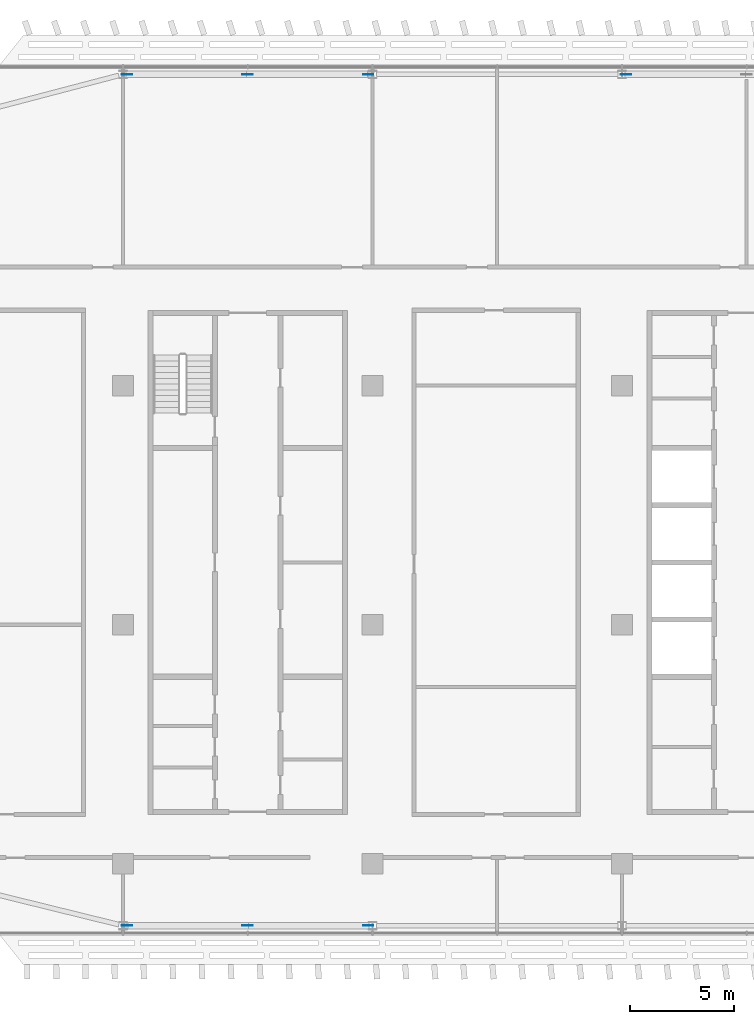
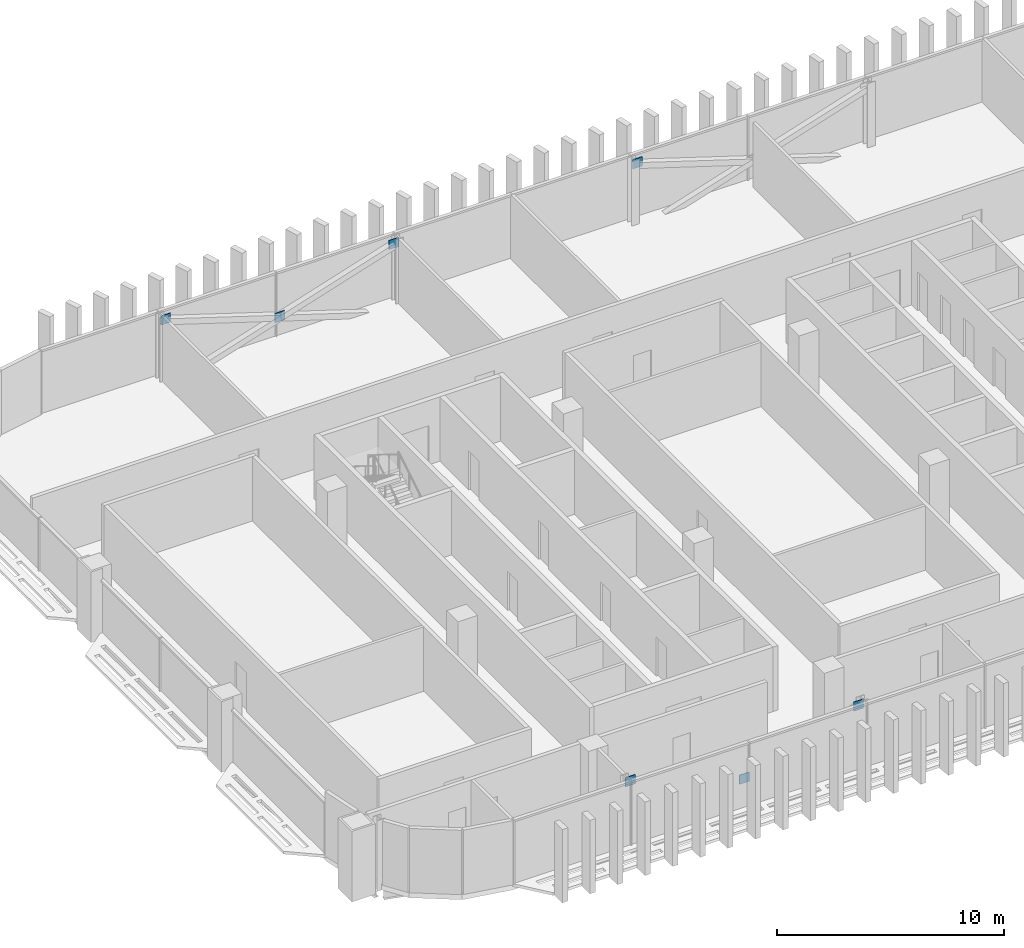
# One storey, part 24 of 35: 7 discrete accessories.
"""IFC4 building model written with IfcOpenShell, lengths in metres."""

import ifcopenshell
import ifcopenshell.guid

model = None  # the IFC model being written
_history = None  # IfcOwnerHistory: only IFC2X3 demands one
_inside = {}  # id of a spatial element -> (the spatial element, [elements in it])
_under = {}  # id of a project, library or spatial element -> (it, [spatial elements below it])
_declared = {}  # id of a project -> (the project, [libraries it declares])
_typed = {}  # id of a type object -> (the type object, [elements of that type])
_made_of = {}  # id of a material, layer set ... -> (it, [elements and type objects made of it])


def new_model(schema):
    """Start an empty IFC model of exactly this schema.

    Asked for "IFC4X3", IfcOpenShell would pick the latest addendum, in which some entities
    have other attributes; the version numbers below select the first issue.
    IFC2X3 requires an IfcOwnerHistory on every rooted entity: one is made here for all.
    """
    global model, _history
    if schema == "IFC4X3":
        model = ifcopenshell.file(schema_version=(4, 3, 0, 0))
    else:
        model = ifcopenshell.file(schema=schema)
    _inside.clear()
    _under.clear()
    _declared.clear()
    _typed.clear()
    _made_of.clear()
    _history = None
    if model.schema == "IFC2X3":
        org = make("IfcOrganization", Name="unknown")
        user = make(
            "IfcPersonAndOrganization",
            ThePerson=make("IfcPerson", FamilyName="unknown"),
            TheOrganization=org,
        )
        app = make(
            "IfcApplication",
            ApplicationDeveloper=org,
            Version="unknown",
            ApplicationFullName="unknown",
            ApplicationIdentifier="unknown",
        )
        _history = make(
            "IfcOwnerHistory",
            OwningUser=user,
            OwningApplication=app,
            ChangeAction="ADDED",
            CreationDate=0,
        )
    return model


def make(cls, **values):
    """One entity of the class cls with the attributes given. An attribute that is None is left unset."""
    return model.create_entity(
        cls, **{name: value for name, value in values.items() if value is not None}
    )


def rooted(cls, **values):
    """An entity with a GlobalId (a new one), such as an element, a storey or a relation."""
    return make(cls, GlobalId=ifcopenshell.guid.new(), OwnerHistory=_history, **values)


def si_unit(unit_type, name, prefix=None):
    """IfcSIUnit, for example si_unit("LENGTHUNIT", "METRE", prefix="MILLI")."""
    return make("IfcSIUnit", UnitType=unit_type, Prefix=prefix, Name=name)


def assignment(units):
    """IfcUnitAssignment: the units of a project."""
    return None if units is None else make("IfcUnitAssignment", Units=units)


def point(xyz):
    """IfcCartesianPoint."""
    return None if xyz is None else make("IfcCartesianPoint", Coordinates=xyz)


def direction(xyz):
    """IfcDirection."""
    return None if xyz is None else make("IfcDirection", DirectionRatios=xyz)


def frame(location, z_axis=None, x_axis=None):
    """IfcAxis2Placement3D, a coordinate frame: its origin and axes. An axis left out is left unset."""
    return make(
        "IfcAxis2Placement3D",
        Location=point(location),
        Axis=direction(z_axis),
        RefDirection=direction(x_axis),
    )


def frame_2d(location, x_axis=None):
    """IfcAxis2Placement2D, a coordinate frame in the plane: its origin and x axis."""
    return make(
        "IfcAxis2Placement2D", Location=point(location), RefDirection=direction(x_axis)
    )


def origin():
    """The frame at (0, 0, 0) with its axes left unset."""
    return frame((0.0, 0.0, 0.0))


def origin_2d():
    """The frame at (0, 0) in the plane with its x axis left unset."""
    return frame_2d((0.0, 0.0))


def place(relative_to, where):
    """IfcLocalPlacement: puts the frame where relative to a parent placement (None: the world)."""
    return make(
        "IfcLocalPlacement", PlacementRelTo=relative_to, RelativePlacement=where
    )


def context(
    kind, dimensions, precision=None, world=None, true_north=None, identifier=None
):
    """IfcGeometricRepresentationContext, for example the 3D "Model" context."""
    return make(
        "IfcGeometricRepresentationContext",
        ContextIdentifier=identifier,
        ContextType=kind,
        CoordinateSpaceDimension=dimensions,
        Precision=precision,
        WorldCoordinateSystem=world,
        TrueNorth=true_north,
    )


def subcontext(parent, identifier, kind, view, scale=None):
    """IfcGeometricRepresentationSubContext, for example "Body" below "Model"."""
    return make(
        "IfcGeometricRepresentationSubContext",
        ContextIdentifier=identifier,
        ContextType=kind,
        ParentContext=parent,
        TargetScale=scale,
        TargetView=view,
    )


def project(units=None, contexts=None):
    """IfcProject with its units and contexts."""
    return rooted(
        "IfcProject",
        Name="project",
        RepresentationContexts=contexts,
        UnitsInContext=assignment(units),
    )


def spatial(cls, under=None, at=None, **own):
    """A site, building, storey or space (cls), placed at a placement, below another one or the project."""
    s = rooted(cls, ObjectPlacement=at, **own)
    if under is not None:
        _under.setdefault(under.id(), (under, []))[1].append(s)
    return s


def profile(cls, at=None, kind="AREA", **sizes):
    """A parametric profile (cls). Its sizes go by their IFC names, for example OverallWidth=200.0."""
    return make(cls, ProfileType=kind, Position=at, **sizes)


def rectangle(**sizes):
    """IfcRectangleProfileDef."""
    return profile("IfcRectangleProfileDef", **sizes)


def extrude(swept, where, along, depth):
    """IfcExtrudedAreaSolid: the profile swept, set in the frame where, extruded along a direction by depth."""
    return make(
        "IfcExtrudedAreaSolid",
        SweptArea=swept,
        Position=where,
        ExtrudedDirection=direction(along),
        Depth=depth,
    )


def shape(context_of_items, identifier, shape_type, items):
    """IfcShapeRepresentation: the items that make up one representation, for example the "Body"."""
    return make(
        "IfcShapeRepresentation",
        ContextOfItems=context_of_items,
        RepresentationIdentifier=identifier,
        RepresentationType=shape_type,
        Items=items,
    )


def material(Name=None, Category=None):
    """IfcMaterial."""
    return make("IfcMaterial", Name=Name, Category=Category)


def layer(
    of_material, thickness, ventilated=None, Name=None, Category=None, Priority=None
):
    """IfcMaterialLayer: one layer of a wall or slab, of a material (None: an air gap)."""
    return make(
        "IfcMaterialLayer",
        Material=of_material,
        LayerThickness=thickness,
        IsVentilated=ventilated,
        Name=Name,
        Category=Category,
        Priority=Priority,
    )


def layer_set(layers, Name=None):
    """IfcMaterialLayerSet."""
    return make("IfcMaterialLayerSet", MaterialLayers=layers, LayerSetName=Name)


def made_of(thing, what):
    """Note that an element or type object is made of a material, layer set ...; save() writes the relation."""
    if what is not None:
        _made_of.setdefault(what.id(), (what, []))[1].append(thing)
    return thing


def type_object(cls, material=None, **own):
    """A type object (cls), such as IfcWallType, which elements share."""
    return made_of(rooted(cls, **own), material)


def element(
    cls,
    number,
    at=None,
    inside=None,
    cuts=None,
    type_object=None,
    material=None,
    context=None,
    identifier="Body",
    shape_type=None,
    held_by="IfcProductDefinitionShape",
    body=None,
    shapes=None,
    **own,
):
    """One element of the class cls, such as IfcWall. Its Tag is "e" and its number.

    at: its placement. inside: the storey or other place that contains it. cuts: it is an
    opening in that element (IfcRelVoidsElement). A single representation is given by context,
    identifier, shape_type and body (its items); several are given by shapes. held_by: the class
    of the entity that holds the representations. save() writes the other relations.
    """
    e = rooted(cls, Tag="e%d" % number, ObjectPlacement=at, **own)
    if body is not None:
        shapes = [shape(context, identifier, shape_type, body)]
    if shapes is not None:
        e.Representation = make(held_by, Representations=shapes)
    if inside is not None:
        _inside.setdefault(inside.id(), (inside, []))[1].append(e)
    if cuts is not None:
        rooted(
            "IfcRelVoidsElement", RelatingBuildingElement=cuts, RelatedOpeningElement=e
        )
    if type_object is not None:
        _typed.setdefault(type_object.id(), (type_object, []))[1].append(e)
    return made_of(e, material)


def aggregate(whole, parts):
    """IfcRelAggregates: a whole, such as a stair, and the parts it consists of."""
    return rooted("IfcRelAggregates", RelatingObject=whole, RelatedObjects=parts)


def save(model, path):
    """Write the relations noted so far, then the file.

    IfcRelAggregates (storeys below a building ...), IfcRelContainedInSpatialStructure (elements
    in a storey), IfcRelDefinesByType, IfcRelAssociatesMaterial and IfcRelDeclares: one each for
    every whole, place, type object, material and project.
    """
    for whole, parts in _under.values():
        aggregate(whole, parts)
    for where, things in _inside.values():
        rooted(
            "IfcRelContainedInSpatialStructure",
            RelatedElements=things,
            RelatingStructure=where,
        )
    for kind, things in _typed.values():
        rooted("IfcRelDefinesByType", RelatedObjects=things, RelatingType=kind)
    for what, things in _made_of.values():
        rooted("IfcRelAssociatesMaterial", RelatedObjects=things, RelatingMaterial=what)
    for by, libraries in _declared.values():
        rooted("IfcRelDeclares", RelatingContext=by, RelatedDefinitions=libraries)
    model.write(path)


model = new_model("IFC4")

# Units and contexts
model_context = context("Model", 3, precision=1e-05, world=origin(), true_north=direction((0.0, 1.0)))
body_context = subcontext(model_context, "Body", "Model", "MODEL_VIEW")
ifc_project = project(units=[si_unit("LENGTHUNIT", "METRE"), si_unit("AREAUNIT", "SQUARE_METRE"), si_unit("VOLUMEUNIT", "CUBIC_METRE"), si_unit("PLANEANGLEUNIT", "RADIAN"), si_unit("MASSUNIT", "GRAM", prefix="KILO")], contexts=[model_context])

# Site, building, storey
site_placement = place(None, origin())
site = spatial("IfcSite", under=ifc_project, at=site_placement, CompositionType="ELEMENT")
building_placement = place(site_placement, origin())
building = spatial("IfcBuilding", under=site, at=building_placement, Name="Mahtab Terrace Research Tower", CompositionType="ELEMENT")
storey_placement = place(building_placement, frame((0.0, 0.0, 251.39990234375)))
storey = spatial("IfcBuildingStorey", under=building, at=storey_placement, Name="L61", CompositionType="ELEMENT", Elevation=251.39990234375)

# Discrete accessories
ifc_material = material(Name="Steel ASTM A992 Gr 50", Category="steel")
ifc_layer = layer(ifc_material, 0.030029296875)
ifc_layer_set = layer_set([ifc_layer], Name="Gusset plate 500x500x30")
discrete_accessory_type = type_object("IfcDiscreteAccessoryType", Name="Gusset plate 500x500x30", PredefinedType="USERDEFINED", material=ifc_layer_set)
for number, where, z_axis, x_axis, name in (
    (1, (-29.800537109375, -14.472900390625, 2.906005859375), (0.0, 0.0, 1.0), (1.0, 0.0, 0.0), "Gusset plate"),
    (2, (-29.800537109375, 26.472900390625, 2.906005859375), (0.0, 0.0, 1.0), (1.0, 0.0, 0.0), "Gusset plate"),
    (3, (-24.0, -14.472900390625, 1.006591796875), (0.0, 0.0, 1.0), (1.0, 0.0, 0.0), "Gusset plate"),
    (4, (-24.0, 26.472900390625, 1.006591796875), (0.0, 0.0, 1.0), (1.0, 0.0, 0.0), "Gusset plate"),
    (5, (-18.199462890625, -14.472900390625, 2.906005859375), (0.0, 0.0, 1.0), (1.0, 0.0, 0.0), "Gusset plate"),
    (6, (-18.199462890625, 26.472900390625, 2.906005859375), (0.0, 0.0, 1.0), (1.0, 0.0, 0.0), "Gusset plate"),
    (7, (-5.800537109375, 26.472900390625, 2.906005859375), (0.0, 0.0, 1.0), (1.0, 0.0, 0.0), "Gusset plate"),
):
    element("IfcDiscreteAccessory", number, at=place(storey_placement, frame(where, z_axis=z_axis, x_axis=x_axis)), inside=storey, type_object=discrete_accessory_type, Name=name, ObjectType="GUSSET PLATE", PredefinedType="USERDEFINED", context=body_context, shape_type="SweptSolid", body=[
        extrude(rectangle(XDim=0.5, YDim=0.030029296875, at=origin_2d()), origin(), (0.0, 0.0, 1.0), 0.5),
    ])

save(model, "model.ifc")
